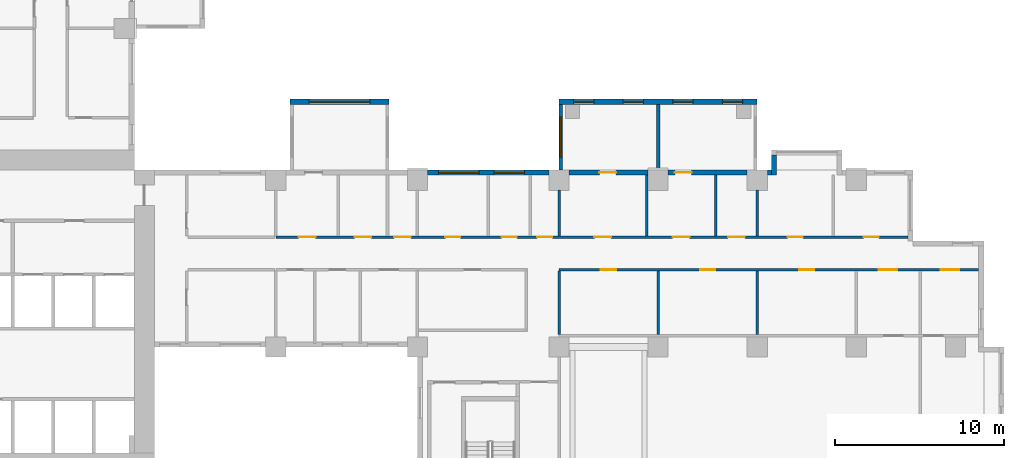
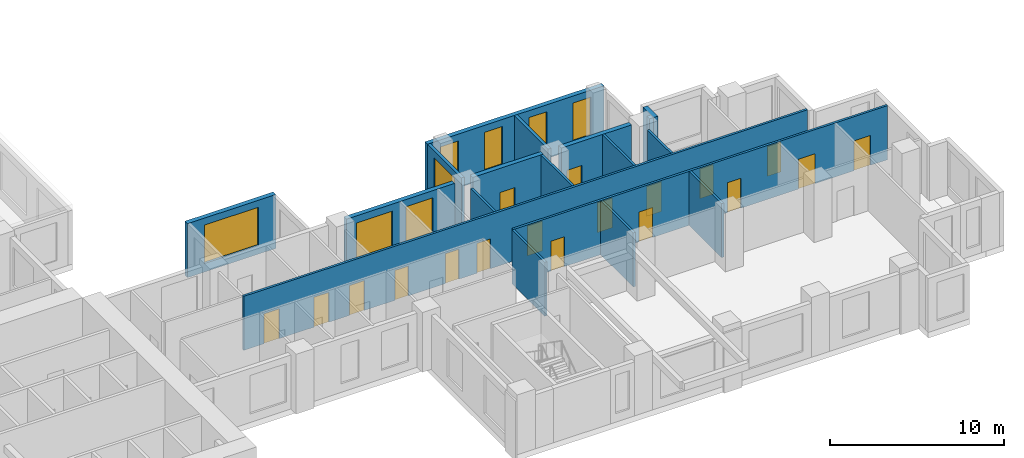
# One storey, part 5 of 14: 18 doors, 18 walls, 8 windows, 26 openings.
"""IFC4 building model written with IfcOpenShell, lengths in metres."""

from ifc_helpers import new_model, si_unit, direction, frame, frame_2d, origin, place, context, subcontext, project, spatial, rectangle, extrude, source, transform, mapped, material, layer, layer_set, type_object, element, fill, save


model = new_model("IFC4")

# Units and contexts
model_context = context("Model", 3, precision=1e-05, world=origin(), true_north=direction((0.0, 1.0)))
body_context = subcontext(model_context, "Body", "Model", "MODEL_VIEW")
ifc_project = project(units=[si_unit("LENGTHUNIT", "METRE"), si_unit("AREAUNIT", "SQUARE_METRE"), si_unit("VOLUMEUNIT", "CUBIC_METRE"), si_unit("PLANEANGLEUNIT", "RADIAN"), si_unit("MASSUNIT", "GRAM", prefix="KILO")], contexts=[model_context])

# Site, building, storey
site_placement = place(None, origin())
site = spatial("IfcSite", under=ifc_project, at=site_placement, CompositionType="ELEMENT")
building_placement = place(site_placement, origin())
building = spatial("IfcBuilding", under=site, at=building_placement, Name="Aurelian Terraces", CompositionType="ELEMENT")
storey_placement = place(building_placement, frame((0.0, 0.0, 53.1)))
storey = spatial("IfcBuildingStorey", under=building, at=storey_placement, Name="L10", CompositionType="ELEMENT", Elevation=53.1)

# Wall, openings, windows
ifc_material_1 = material(Name="Terracotta rainscreen cladding", Category="masonry")
ifc_layer_1 = layer(ifc_material_1, 0.3)
ifc_layer_set_1 = layer_set([ifc_layer_1], Name="EW-300")
wall_type_1 = type_object("IfcWallType", Name="EW-300", PredefinedType="STANDARD", material=ifc_layer_set_1)
shared_shape_1 = source(origin(), body_context, "Body", "SweptSolid", [
    extrude(rectangle(XDim=7.2, YDim=0.3, at=frame_2d((3.6, 0.0))), origin(), (0.0, 0.0, 1.0), 3.8),
])
wall_1_placement = place(storey_placement, frame((45.6, 20.85, 0.0), z_axis=(0.0, 0.0, 1.0), x_axis=(-1.0, 0.0, 0.0)))
wall_1 = element("IfcWall", 1, at=wall_1_placement, inside=storey, type_object=wall_type_1, Name="External wall L10 F11.24", PredefinedType="STANDARD", context=body_context, shape_type="MappedRepresentation", body=[
    mapped(shared_shape_1, transform((0.0, 0.0, 0.0), scale=1.0)),
])
shared_shape_2 = source(origin(), body_context, "Body", "SweptSolid", [
    extrude(rectangle(XDim=1.8, YDim=2.7, at=frame_2d((0.9, 1.35))), frame((0.0, 0.16, 0.0), z_axis=(0.0, -1.0, 0.0), x_axis=(1.0, 0.0, 0.0)), (0.0, 0.0, 1.0), 0.32),
])
opening_1_placement = place(wall_1_placement, frame((1.4495, 0.0, 0.6)))
opening_1 = element("IfcOpeningElement", 2, at=opening_1_placement, cuts=wall_1, Name="Opening W1827", PredefinedType="OPENING", context=body_context, shape_type="MappedRepresentation", body=[
    mapped(shared_shape_2, transform((0.0, 0.0, 0.0), scale=1.0)),
])
shared_shape_3 = source(origin(), body_context, "Body", "SweptSolid", [
    extrude(rectangle(XDim=2.4, YDim=2.7, at=frame_2d((1.2, 1.35))), frame((0.0, 0.16, 0.0), z_axis=(0.0, -1.0, 0.0), x_axis=(1.0, 0.0, 0.0)), (0.0, 0.0, 1.0), 0.32),
])
opening_2_placement = place(wall_1_placement, frame((4.1375, 0.0, 0.6)))
opening_2 = element("IfcOpeningElement", 3, at=opening_2_placement, cuts=wall_1, Name="Opening W2427", PredefinedType="OPENING", context=body_context, shape_type="MappedRepresentation", body=[
    mapped(shared_shape_3, transform((0.0, 0.0, 0.0), scale=1.0)),
])
ifc_material_2 = material(Name="Clear glazing", Category="glass")
window_type_1 = type_object("IfcWindowType", Name="W-2400x2700", PartitioningType="SINGLE_PANEL", PredefinedType="WINDOW", material=ifc_material_2)
shared_shape_4 = source(origin(), body_context, "Body", "SweptSolid", [
    extrude(rectangle(XDim=2.4, YDim=2.7, at=frame_2d((1.2, 1.35))), frame((0.0, 0.03, 0.0), z_axis=(0.0, -1.0, 0.0), x_axis=(1.0, 0.0, 0.0)), (0.0, 0.0, 1.0), 0.06),
])
window_1_placement = place(opening_2_placement, origin())
window_1 = element("IfcWindow", 4, at=window_1_placement, inside=storey, type_object=window_type_1, Name="Window L10 L10-F11-24-P0.2", OverallHeight=2.7, OverallWidth=2.4, PartitioningType="SINGLE_PANEL", PredefinedType="WINDOW", context=body_context, shape_type="MappedRepresentation", body=[
    mapped(shared_shape_4, transform((0.0, 0.0, 0.0), scale=1.0)),
])
fill(opening_2, window_1)
window_type_2 = type_object("IfcWindowType", Name="W-1800x2700", PartitioningType="SINGLE_PANEL", PredefinedType="WINDOW", material=ifc_material_2)
shared_shape_5 = source(origin(), body_context, "Body", "SweptSolid", [
    extrude(rectangle(XDim=1.8, YDim=2.7, at=frame_2d((0.9, 1.35))), frame((0.0, 0.03, 0.0), z_axis=(0.0, -1.0, 0.0), x_axis=(1.0, 0.0, 0.0)), (0.0, 0.0, 1.0), 0.06),
])
window_2_placement = place(opening_1_placement, origin())
window_2 = element("IfcWindow", 5, at=window_2_placement, inside=storey, type_object=window_type_2, Name="Window L10 L10-F11-24-P0.1", OverallHeight=2.7, OverallWidth=1.8, PartitioningType="SINGLE_PANEL", PredefinedType="WINDOW", context=body_context, shape_type="MappedRepresentation", body=[
    mapped(shared_shape_5, transform((0.0, 0.0, 0.0), scale=1.0)),
])
fill(opening_1, window_2)

# Wall, opening, door
shared_shape_6 = source(origin(), body_context, "Body", "SweptSolid", [
    extrude(rectangle(XDim=4.68, YDim=0.3, at=frame_2d((2.34, 0.0))), origin(), (0.0, 0.0, 1.0), 3.8),
])
wall_2_placement = place(storey_placement, frame((57.36, 20.85, 0.0), z_axis=(0.0, 0.0, 1.0), x_axis=(-1.0, 0.0, 0.0)))
wall_2 = element("IfcWall", 6, at=wall_2_placement, inside=storey, type_object=wall_type_1, Name="External wall L10 F11.23", PredefinedType="STANDARD", context=body_context, shape_type="MappedRepresentation", body=[
    mapped(shared_shape_6, transform((0.0, 0.0, 0.0), scale=1.0)),
])
shared_shape_7 = source(origin(), body_context, "Body", "SweptSolid", [
    extrude(rectangle(XDim=1.0, YDim=2.1, at=frame_2d((0.5, 1.05))), frame((0.0, 0.16, 0.0), z_axis=(0.0, -1.0, 0.0), x_axis=(1.0, 0.0, 0.0)), (0.0, 0.0, 1.0), 0.32),
])
opening_3_placement = place(wall_2_placement, frame((3.2867, 0.0, 0.0)))
opening_3 = element("IfcOpeningElement", 7, at=opening_3_placement, cuts=wall_2, Name="Opening 810003", PredefinedType="OPENING", context=body_context, shape_type="MappedRepresentation", body=[
    mapped(shared_shape_7, transform((0.0, 0.0, 0.0), scale=1.0)),
])
ifc_material_3 = material(Name="Timber door leaf", Category="wood")
door_type_1 = type_object("IfcDoorType", Name="Room door 1000x2100 left", OperationType="SINGLE_SWING_LEFT", PredefinedType="DOOR", material=ifc_material_3)
shared_shape_8 = source(origin(), body_context, "Body", "SweptSolid", [
    extrude(rectangle(XDim=1.0, YDim=2.1, at=frame_2d((0.5, 1.05))), frame((0.0, 0.025, 0.0), z_axis=(0.0, -1.0, 0.0), x_axis=(1.0, 0.0, 0.0)), (0.0, 0.0, 1.0), 0.05),
])
door_1_placement = place(opening_3_placement, origin())
door_1 = element("IfcDoor", 8, at=door_1_placement, inside=storey, type_object=door_type_1, Name="Door 810003", OperationType="SINGLE_SWING_LEFT", OverallHeight=2.1, OverallWidth=1.0, PredefinedType="DOOR", context=body_context, shape_type="MappedRepresentation", body=[
    mapped(shared_shape_8, transform((0.0, 0.0, 0.0), scale=1.0)),
])
fill(opening_3, door_1)

wall_3_placement = place(storey_placement, frame((51.48, 20.85, 0.0), z_axis=(0.0, 0.0, 1.0), x_axis=(-1.0, 0.0, 0.0)))
wall_3 = element("IfcWall", 9, at=wall_3_placement, inside=storey, type_object=wall_type_1, Name="External wall L10 F11.23", PredefinedType="STANDARD", context=body_context, shape_type="MappedRepresentation", body=[
    mapped(shared_shape_6, transform((0.0, 0.0, 0.0), scale=1.0)),
])
opening_4_placement = place(wall_3_placement, frame((1.8867, 0.0, 0.0)))
opening_4 = element("IfcOpeningElement", 10, at=opening_4_placement, cuts=wall_3, Name="Opening 810004", PredefinedType="OPENING", context=body_context, shape_type="MappedRepresentation", body=[
    mapped(shared_shape_7, transform((0.0, 0.0, 0.0), scale=1.0)),
])
door_2_placement = place(opening_4_placement, origin())
door_2 = element("IfcDoor", 11, at=door_2_placement, inside=storey, type_object=door_type_1, Name="Door 810004", OperationType="SINGLE_SWING_LEFT", OverallHeight=2.1, OverallWidth=1.0, PredefinedType="DOOR", context=body_context, shape_type="MappedRepresentation", body=[
    mapped(shared_shape_8, transform((0.0, 0.0, 0.0), scale=1.0)),
])
fill(opening_4, door_2)

# Walls
shared_shape_9 = source(origin(), body_context, "Body", "SweptSolid", [
    extrude(rectangle(XDim=1.2, YDim=0.3, at=frame_2d((0.6, 0.0))), origin(), (0.0, 0.0, 1.0), 3.8),
])
wall_4_placement = place(storey_placement, frame((58.95, 20.7, 0.0), z_axis=(0.0, 0.0, 1.0), x_axis=(0.0, 1.0, 0.0)))
element("IfcWall", 12, at=wall_4_placement, inside=storey, type_object=wall_type_1, Name="Bay return L10 F11.22.2", PredefinedType="STANDARD", context=body_context, shape_type="MappedRepresentation", body=[
    mapped(shared_shape_9, transform((0.0, 0.0, 0.0), scale=1.0)),
])
shared_shape_10 = source(origin(), body_context, "Body", "SweptSolid", [
    extrude(rectangle(XDim=0.24, YDim=0.3, at=frame_2d((0.12, 0.0))), origin(), (0.0, 0.0, 1.0), 3.8),
])
wall_5_placement = place(storey_placement, frame((58.8, 20.85, 0.0), z_axis=(0.0, 0.0, 1.0), x_axis=(-1.0, 0.0, 0.0)))
element("IfcWall", 13, at=wall_5_placement, inside=storey, type_object=wall_type_1, Name="External wall L10 F11.23", PredefinedType="STANDARD", context=body_context, shape_type="MappedRepresentation", body=[
    mapped(shared_shape_10, transform((0.0, 0.0, 0.0), scale=1.0)),
])

# Wall, opening, window
ifc_material_4 = material(Name="Concrete fc' 40 MPa", Category="concrete")
ifc_layer_2 = layer(ifc_material_4, 0.2)
ifc_layer_set_2 = layer_set([ifc_layer_2], Name="BOX BEARING WALL 200")
wall_type_2 = type_object("IfcWallType", Name="BOX BEARING WALL 200", PredefinedType="SOLIDWALL", material=ifc_layer_set_2)
shared_shape_11 = source(origin(), body_context, "Body", "SweptSolid", [
    extrude(rectangle(XDim=3.9, YDim=0.2, at=frame_2d((1.95, 0.0))), origin(), (0.0, 0.0, 1.0), 3.79),
])
wall_6_placement = place(storey_placement, frame((46.3, 21.0, 0.0), z_axis=(0.0, 0.0, 1.0), x_axis=(0.0, 1.0, 0.0)))
wall_6 = element("IfcWall", 14, at=wall_6_placement, inside=storey, type_object=wall_type_2, Name="Box return L10 K01.2", PredefinedType="SOLIDWALL", context=body_context, shape_type="MappedRepresentation", body=[
    mapped(shared_shape_11, transform((0.0, 0.0, 0.0), scale=1.0)),
])
shared_shape_12 = source(origin(), body_context, "Body", "SweptSolid", [
    extrude(rectangle(XDim=2.4, YDim=2.7, at=frame_2d((1.2, 1.35))), frame((0.0, 0.11, 0.0), z_axis=(0.0, -1.0, 0.0), x_axis=(1.0, 0.0, 0.0)), (0.0, 0.0, 1.0), 0.22),
])
opening_5_placement = place(wall_6_placement, frame((0.75, 0.0, 0.6)))
opening_5 = element("IfcOpeningElement", 15, at=opening_5_placement, cuts=wall_6, Name="Opening W2427", PredefinedType="OPENING", context=body_context, shape_type="MappedRepresentation", body=[
    mapped(shared_shape_12, transform((0.0, 0.0, 0.0), scale=1.0)),
])
window_3_placement = place(opening_5_placement, origin())
window_3 = element("IfcWindow", 16, at=window_3_placement, inside=storey, type_object=window_type_1, Name="Window L10 K01-S2", OverallHeight=2.7, OverallWidth=2.4, PartitioningType="SINGLE_PANEL", PredefinedType="WINDOW", context=body_context, shape_type="MappedRepresentation", body=[
    mapped(shared_shape_4, transform((0.0, 0.0, 0.0), scale=1.0)),
])
fill(opening_5, window_3)

ifc_layer_3 = layer(ifc_material_4, 0.3)
ifc_layer_set_3 = layer_set([ifc_layer_3], Name="BOX BEARING WALL 300")
wall_type_3 = type_object("IfcWallType", Name="BOX BEARING WALL 300", PredefinedType="SOLIDWALL", material=ifc_layer_set_3)
shared_shape_13 = source(origin(), body_context, "Body", "SweptSolid", [
    extrude(rectangle(XDim=5.88, YDim=0.3, at=frame_2d((2.94, 0.0))), origin(), (0.0, 0.0, 1.0), 3.79),
])
wall_7_placement = place(storey_placement, frame((36.12, 25.05, 0.0), z_axis=(0.0, 0.0, 1.0), x_axis=(-1.0, 0.0, 0.0)))
wall_7 = element("IfcWall", 17, at=wall_7_placement, inside=storey, type_object=wall_type_3, Name="Box wall L10 J06", PredefinedType="SOLIDWALL", context=body_context, shape_type="MappedRepresentation", body=[
    mapped(shared_shape_13, transform((0.0, 0.0, 0.0), scale=1.0)),
])
shared_shape_14 = source(origin(), body_context, "Body", "SweptSolid", [
    extrude(rectangle(XDim=3.6, YDim=2.7, at=frame_2d((1.8, 1.35))), frame((0.0, 0.16, 0.0), z_axis=(0.0, -1.0, 0.0), x_axis=(1.0, 0.0, 0.0)), (0.0, 0.0, 1.0), 0.32),
])
opening_6_placement = place(wall_7_placement, frame((1.14, 0.0, 0.6)))
opening_6 = element("IfcOpeningElement", 18, at=opening_6_placement, cuts=wall_7, Name="Opening W3627", PredefinedType="OPENING", context=body_context, shape_type="MappedRepresentation", body=[
    mapped(shared_shape_14, transform((0.0, 0.0, 0.0), scale=1.0)),
])
window_type_3 = type_object("IfcWindowType", Name="W-3600x2700", PartitioningType="SINGLE_PANEL", PredefinedType="WINDOW", material=ifc_material_2)
shared_shape_15 = source(origin(), body_context, "Body", "SweptSolid", [
    extrude(rectangle(XDim=3.6, YDim=2.7, at=frame_2d((1.8, 1.35))), frame((0.0, 0.03, 0.0), z_axis=(0.0, -1.0, 0.0), x_axis=(1.0, 0.0, 0.0)), (0.0, 0.0, 1.0), 0.06),
])
window_4_placement = place(opening_6_placement, origin())
window_4 = element("IfcWindow", 19, at=window_4_placement, inside=storey, type_object=window_type_3, Name="Window L10 J06-F1", OverallHeight=2.7, OverallWidth=3.6, PartitioningType="SINGLE_PANEL", PredefinedType="WINDOW", context=body_context, shape_type="MappedRepresentation", body=[
    mapped(shared_shape_15, transform((0.0, 0.0, 0.0), scale=1.0)),
])
fill(opening_6, window_4)

# Wall, openings, windows
shared_shape_16 = source(origin(), body_context, "Body", "SweptSolid", [
    extrude(rectangle(XDim=11.76, YDim=0.3, at=frame_2d((5.88, 0.0))), origin(), (0.0, 0.0, 1.0), 3.79),
])
wall_8_placement = place(storey_placement, frame((57.96, 25.05, 0.0), z_axis=(0.0, 0.0, 1.0), x_axis=(-1.0, 0.0, 0.0)))
wall_8 = element("IfcWall", 20, at=wall_8_placement, inside=storey, type_object=wall_type_3, Name="Box wall L10 K01", PredefinedType="SOLIDWALL", context=body_context, shape_type="MappedRepresentation", body=[
    mapped(shared_shape_16, transform((0.0, 0.0, 0.0), scale=1.0)),
])
shared_shape_17 = source(origin(), body_context, "Body", "SweptSolid", [
    extrude(rectangle(XDim=1.2, YDim=2.7, at=frame_2d((0.6, 1.35))), frame((0.0, 0.16, 0.0), z_axis=(0.0, -1.0, 0.0), x_axis=(1.0, 0.0, 0.0)), (0.0, 0.0, 1.0), 0.32),
])
opening_7_placement = place(wall_8_placement, frame((0.87, 0.0, 0.6)))
opening_7 = element("IfcOpeningElement", 21, at=opening_7_placement, cuts=wall_8, Name="Opening W1227", PredefinedType="OPENING", context=body_context, shape_type="MappedRepresentation", body=[
    mapped(shared_shape_17, transform((0.0, 0.0, 0.0), scale=1.0)),
])
opening_8_placement = place(wall_8_placement, frame((3.81, 0.0, 0.6)))
opening_8 = element("IfcOpeningElement", 22, at=opening_8_placement, cuts=wall_8, Name="Opening W1227", PredefinedType="OPENING", context=body_context, shape_type="MappedRepresentation", body=[
    mapped(shared_shape_17, transform((0.0, 0.0, 0.0), scale=1.0)),
])
opening_9_placement = place(wall_8_placement, frame((6.75, 0.0, 0.6)))
opening_9 = element("IfcOpeningElement", 23, at=opening_9_placement, cuts=wall_8, Name="Opening W1227", PredefinedType="OPENING", context=body_context, shape_type="MappedRepresentation", body=[
    mapped(shared_shape_17, transform((0.0, 0.0, 0.0), scale=1.0)),
])
opening_10_placement = place(wall_8_placement, frame((9.69, 0.0, 0.6)))
opening_10 = element("IfcOpeningElement", 24, at=opening_10_placement, cuts=wall_8, Name="Opening W1227", PredefinedType="OPENING", context=body_context, shape_type="MappedRepresentation", body=[
    mapped(shared_shape_17, transform((0.0, 0.0, 0.0), scale=1.0)),
])
window_type_4 = type_object("IfcWindowType", Name="W-1200x2700", PartitioningType="SINGLE_PANEL", PredefinedType="WINDOW", material=ifc_material_2)
shared_shape_18 = source(origin(), body_context, "Body", "SweptSolid", [
    extrude(rectangle(XDim=1.2, YDim=2.7, at=frame_2d((0.6, 1.35))), frame((0.0, 0.03, 0.0), z_axis=(0.0, -1.0, 0.0), x_axis=(1.0, 0.0, 0.0)), (0.0, 0.0, 1.0), 0.06),
])
window_5_placement = place(opening_7_placement, origin())
window_5 = element("IfcWindow", 25, at=window_5_placement, inside=storey, type_object=window_type_4, Name="Window L10 K01-F1", OverallHeight=2.7, OverallWidth=1.2, PartitioningType="SINGLE_PANEL", PredefinedType="WINDOW", context=body_context, shape_type="MappedRepresentation", body=[
    mapped(shared_shape_18, transform((0.0, 0.0, 0.0), scale=1.0)),
])
fill(opening_7, window_5)
window_6_placement = place(opening_8_placement, origin())
window_6 = element("IfcWindow", 26, at=window_6_placement, inside=storey, type_object=window_type_4, Name="Window L10 K01-F2", OverallHeight=2.7, OverallWidth=1.2, PartitioningType="SINGLE_PANEL", PredefinedType="WINDOW", context=body_context, shape_type="MappedRepresentation", body=[
    mapped(shared_shape_18, transform((0.0, 0.0, 0.0), scale=1.0)),
])
fill(opening_8, window_6)
window_7_placement = place(opening_9_placement, origin())
window_7 = element("IfcWindow", 27, at=window_7_placement, inside=storey, type_object=window_type_4, Name="Window L10 K01-F3", OverallHeight=2.7, OverallWidth=1.2, PartitioningType="SINGLE_PANEL", PredefinedType="WINDOW", context=body_context, shape_type="MappedRepresentation", body=[
    mapped(shared_shape_18, transform((0.0, 0.0, 0.0), scale=1.0)),
])
fill(opening_9, window_7)
window_8_placement = place(opening_10_placement, origin())
window_8 = element("IfcWindow", 28, at=window_8_placement, inside=storey, type_object=window_type_4, Name="Window L10 K01-F4", OverallHeight=2.7, OverallWidth=1.2, PartitioningType="SINGLE_PANEL", PredefinedType="WINDOW", context=body_context, shape_type="MappedRepresentation", body=[
    mapped(shared_shape_18, transform((0.0, 0.0, 0.0), scale=1.0)),
])
fill(opening_10, window_8)

# Walls
shared_shape_19 = source(origin(), body_context, "Body", "SweptSolid", [
    extrude(rectangle(XDim=3.9, YDim=0.2, at=frame_2d((1.95, 0.0))), origin(), (0.0, 0.0, 1.0), 3.79),
])
wall_9_placement = place(storey_placement, frame((52.08, 21.0, 0.0), z_axis=(0.0, 0.0, 1.0), x_axis=(0.0, 1.0, 0.0)))
element("IfcWall", 29, at=wall_9_placement, inside=storey, type_object=wall_type_2, Name="Box partition L10 K01", PredefinedType="SOLIDWALL", context=body_context, shape_type="MappedRepresentation", body=[
    mapped(shared_shape_19, transform((0.0, 0.0, 0.0), scale=1.0)),
])
ifc_material_5 = material(Name="Gypsum board on steel studs", Category="steel")
ifc_layer_4 = layer(ifc_material_5, 0.15)
ifc_layer_set_4 = layer_set([ifc_layer_4], Name="Partition 150")
wall_type_4 = type_object("IfcWallType", Name="Partition 150", PredefinedType="PARTITIONING", material=ifc_layer_set_4)
shared_shape_20 = source(origin(), body_context, "Body", "SweptSolid", [
    extrude(rectangle(XDim=3.75, YDim=0.15, at=frame_2d((1.875, 0.0))), origin(), (0.0, 0.0, 1.0), 3.8),
])
for number, where, z_axis, x_axis, name in (
    (30, (52.08, 11.25, 0.0), (0.0, 0.0, 1.0), (0.0, 1.0, 0.0), "Partition"),
    (31, (57.96, 11.25, 0.0), (0.0, 0.0, 1.0), (0.0, 1.0, 0.0), "Partition"),
    (32, (46.2, 11.25, 0.0), (0.0, 0.0, 1.0), (0.0, 1.0, 0.0), "Partition"),
):
    element("IfcWall", number, at=place(storey_placement, frame(where, z_axis=z_axis, x_axis=x_axis)), inside=storey, type_object=wall_type_4, Name=name, PredefinedType="PARTITIONING", context=body_context, shape_type="MappedRepresentation", body=[
        mapped(shared_shape_20, transform((0.0, 0.0, 0.0), scale=1.0)),
    ])
shared_shape_21 = source(origin(), body_context, "Body", "SweptSolid", [
    extrude(rectangle(XDim=3.6, YDim=0.15, at=frame_2d((1.8, 0.0))), origin(), (0.0, 0.0, 1.0), 3.8),
])
for number, where, z_axis, x_axis, name in (
    (33, (51.3951, 20.7, 0.0), (0.0, 0.0, 1.0), (0.0, -1.0, 0.0), "Partition"),
    (34, (55.4912, 20.7, 0.0), (0.0, 0.0, 1.0), (0.0, -1.0, 0.0), "Partition"),
):
    element("IfcWall", number, at=place(storey_placement, frame(where, z_axis=z_axis, x_axis=x_axis)), inside=storey, type_object=wall_type_4, Name=name, PredefinedType="PARTITIONING", context=body_context, shape_type="MappedRepresentation", body=[
        mapped(shared_shape_21, transform((0.0, 0.0, 0.0), scale=1.0)),
    ])
shared_shape_22 = source(origin(), body_context, "Body", "SweptSolid", [
    extrude(rectangle(XDim=2.701, YDim=0.15, at=frame_2d((1.3505, 0.0))), origin(), (0.0, 0.0, 1.0), 3.8),
])
for number, where, z_axis, x_axis, name in (
    (35, (46.2, 17.1, 0.0), (0.0, 0.0, 1.0), (0.0, 1.0, 0.0), "Partition"),
    (36, (57.96, 17.1, 0.0), (0.0, 0.0, 1.0), (0.0, 1.0, 0.0), "Partition"),
):
    element("IfcWall", number, at=place(storey_placement, frame(where, z_axis=z_axis, x_axis=x_axis)), inside=storey, type_object=wall_type_4, Name=name, PredefinedType="PARTITIONING", context=body_context, shape_type="MappedRepresentation", body=[
        mapped(shared_shape_22, transform((0.0, 0.0, 0.0), scale=1.0)),
    ])

# Wall, openings, doors
ifc_layer_5 = layer(ifc_material_5, 0.15)
ifc_layer_set_5 = layer_set([ifc_layer_5], Name="Fire partition 150")
wall_type_5 = type_object("IfcWallType", Name="Fire partition 150", PredefinedType="PARTITIONING", material=ifc_layer_set_5)
shared_shape_23 = source(origin(), body_context, "Body", "SweptSolid", [
    extrude(rectangle(XDim=24.9, YDim=0.15, at=frame_2d((12.45, 0.0))), origin(), (0.0, 0.0, 1.0), 3.8),
])
wall_10_placement = place(storey_placement, frame((71.1, 15.075, 0.0), z_axis=(0.0, 0.0, 1.0), x_axis=(-1.0, 0.0, 0.0)))
wall_10 = element("IfcWall", 37, at=wall_10_placement, inside=storey, type_object=wall_type_5, Name="Corridor wall", PredefinedType="PARTITIONING", context=body_context, shape_type="MappedRepresentation", body=[
    mapped(shared_shape_23, transform((0.0, 0.0, 0.0), scale=1.0)),
])
shared_shape_24 = source(origin(), body_context, "Body", "SweptSolid", [
    extrude(rectangle(XDim=1.1, YDim=2.1, at=frame_2d((0.55, 1.05))), frame((0.0, 0.085, 0.0), z_axis=(0.0, -1.0, 0.0), x_axis=(1.0, 0.0, 0.0)), (0.0, 0.0, 1.0), 0.17),
])
opening_11_placement = place(wall_10_placement, frame((4.82, 0.0, 0.0)))
opening_11 = element("IfcOpeningElement", 38, at=opening_11_placement, cuts=wall_10, Name="Opening 710008", PredefinedType="OPENING", context=body_context, shape_type="MappedRepresentation", body=[
    mapped(shared_shape_24, transform((0.0, 0.0, 0.0), scale=1.0)),
])
shared_shape_25 = source(origin(), body_context, "Body", "SweptSolid", [
    extrude(rectangle(XDim=0.9, YDim=2.1, at=frame_2d((0.45, 1.05))), frame((0.0, 0.085, 0.0), z_axis=(0.0, -1.0, 0.0), x_axis=(1.0, 0.0, 0.0)), (0.0, 0.0, 1.0), 0.17),
])
opening_12_placement = place(wall_10_placement, frame((21.51, 0.0, 0.0)))
opening_12 = element("IfcOpeningElement", 39, at=opening_12_placement, cuts=wall_10, Name="Opening 710010", PredefinedType="OPENING", context=body_context, shape_type="MappedRepresentation", body=[
    mapped(shared_shape_25, transform((0.0, 0.0, 0.0), scale=1.0)),
])
opening_13_placement = place(wall_10_placement, frame((15.63, 0.0, 0.0)))
opening_13 = element("IfcOpeningElement", 40, at=opening_13_placement, cuts=wall_10, Name="Opening 710011", PredefinedType="OPENING", context=body_context, shape_type="MappedRepresentation", body=[
    mapped(shared_shape_25, transform((0.0, 0.0, 0.0), scale=1.0)),
])
opening_14_placement = place(wall_10_placement, frame((9.75, 0.0, 0.0)))
opening_14 = element("IfcOpeningElement", 41, at=opening_14_placement, cuts=wall_10, Name="Opening 710012", PredefinedType="OPENING", context=body_context, shape_type="MappedRepresentation", body=[
    mapped(shared_shape_25, transform((0.0, 0.0, 0.0), scale=1.0)),
])
opening_15_placement = place(wall_10_placement, frame((1.1525, 0.0, 0.0)))
opening_15 = element("IfcOpeningElement", 42, at=opening_15_placement, cuts=wall_10, Name="Opening 710013", PredefinedType="OPENING", context=body_context, shape_type="MappedRepresentation", body=[
    mapped(shared_shape_24, transform((0.0, 0.0, 0.0), scale=1.0)),
])
door_type_2 = type_object("IfcDoorType", Name="Room door 900x2100 left", OperationType="SINGLE_SWING_LEFT", PredefinedType="DOOR", material=ifc_material_3)
shared_shape_26 = source(origin(), body_context, "Body", "SweptSolid", [
    extrude(rectangle(XDim=0.9, YDim=2.1, at=frame_2d((0.45, 1.05))), frame((0.0, 0.025, 0.0), z_axis=(0.0, -1.0, 0.0), x_axis=(1.0, 0.0, 0.0)), (0.0, 0.0, 1.0), 0.05),
])
door_3_placement = place(opening_12_placement, origin())
door_3 = element("IfcDoor", 43, at=door_3_placement, inside=storey, type_object=door_type_2, Name="Door 710010", OperationType="SINGLE_SWING_LEFT", OverallHeight=2.1, OverallWidth=0.9, PredefinedType="DOOR", context=body_context, shape_type="MappedRepresentation", body=[
    mapped(shared_shape_26, transform((0.0, 0.0, 0.0), scale=1.0)),
])
fill(opening_12, door_3)
door_type_3 = type_object("IfcDoorType", Name="Room door 900x2100 right", OperationType="SINGLE_SWING_RIGHT", PredefinedType="DOOR", material=ifc_material_3)
door_4_placement = place(opening_13_placement, origin())
door_4 = element("IfcDoor", 44, at=door_4_placement, inside=storey, type_object=door_type_3, Name="Door 710011", OperationType="SINGLE_SWING_RIGHT", OverallHeight=2.1, OverallWidth=0.9, PredefinedType="DOOR", context=body_context, shape_type="MappedRepresentation", body=[
    mapped(shared_shape_26, transform((0.0, 0.0, 0.0), scale=1.0)),
])
fill(opening_13, door_4)
door_5_placement = place(opening_14_placement, origin())
door_5 = element("IfcDoor", 45, at=door_5_placement, inside=storey, type_object=door_type_2, Name="Door 710012", OperationType="SINGLE_SWING_LEFT", OverallHeight=2.1, OverallWidth=0.9, PredefinedType="DOOR", context=body_context, shape_type="MappedRepresentation", body=[
    mapped(shared_shape_26, transform((0.0, 0.0, 0.0), scale=1.0)),
])
fill(opening_14, door_5)
door_type_4 = type_object("IfcDoorType", Name="Room door 1100x2100 left", OperationType="SINGLE_SWING_LEFT", PredefinedType="DOOR", material=ifc_material_3)
shared_shape_27 = source(origin(), body_context, "Body", "SweptSolid", [
    extrude(rectangle(XDim=1.1, YDim=2.1, at=frame_2d((0.55, 1.05))), frame((0.0, 0.025, 0.0), z_axis=(0.0, -1.0, 0.0), x_axis=(1.0, 0.0, 0.0)), (0.0, 0.0, 1.0), 0.05),
])
door_6_placement = place(opening_11_placement, origin())
door_6 = element("IfcDoor", 46, at=door_6_placement, inside=storey, type_object=door_type_4, Name="Door 710008", OperationType="SINGLE_SWING_LEFT", OverallHeight=2.1, OverallWidth=1.1, PredefinedType="DOOR", context=body_context, shape_type="MappedRepresentation", body=[
    mapped(shared_shape_27, transform((0.0, 0.0, 0.0), scale=1.0)),
])
fill(opening_11, door_6)
door_7_placement = place(opening_15_placement, origin())
door_7 = element("IfcDoor", 47, at=door_7_placement, inside=storey, type_object=door_type_4, Name="Door 710013", OperationType="SINGLE_SWING_LEFT", OverallHeight=2.1, OverallWidth=1.1, PredefinedType="DOOR", context=body_context, shape_type="MappedRepresentation", body=[
    mapped(shared_shape_27, transform((0.0, 0.0, 0.0), scale=1.0)),
])
fill(opening_15, door_7)

shared_shape_28 = source(origin(), body_context, "Body", "SweptSolid", [
    extrude(rectangle(XDim=37.5, YDim=0.15, at=frame_2d((18.75, 0.0))), origin(), (0.0, 0.0, 1.0), 3.8),
])
wall_11_placement = place(storey_placement, frame((29.4, 17.025, 0.0), z_axis=(0.0, 0.0, 1.0), x_axis=(1.0, 0.0, 0.0)))
wall_11 = element("IfcWall", 48, at=wall_11_placement, inside=storey, type_object=wall_type_5, Name="Corridor wall", PredefinedType="PARTITIONING", context=body_context, shape_type="MappedRepresentation", body=[
    mapped(shared_shape_28, transform((0.0, 0.0, 0.0), scale=1.0)),
])
shared_shape_29 = source(origin(), body_context, "Body", "SweptSolid", [
    extrude(rectangle(XDim=1.0, YDim=2.1, at=frame_2d((0.5, 1.05))), frame((0.0, 0.085, 0.0), z_axis=(0.0, -1.0, 0.0), x_axis=(1.0, 0.0, 0.0)), (0.0, 0.0, 1.0), 0.17),
])
opening_16_placement = place(wall_11_placement, frame((1.3567, 0.0, 0.0)))
opening_16 = element("IfcOpeningElement", 49, at=opening_16_placement, cuts=wall_11, Name="Opening 710015", PredefinedType="OPENING", context=body_context, shape_type="MappedRepresentation", body=[
    mapped(shared_shape_29, transform((0.0, 0.0, 0.0), scale=1.0)),
])
opening_17_placement = place(wall_11_placement, frame((4.6686, 0.0, 0.0)))
opening_17 = element("IfcOpeningElement", 50, at=opening_17_placement, cuts=wall_11, Name="Opening 710016", PredefinedType="OPENING", context=body_context, shape_type="MappedRepresentation", body=[
    mapped(shared_shape_29, transform((0.0, 0.0, 0.0), scale=1.0)),
])
opening_18_placement = place(wall_11_placement, frame((7.012, 0.0, 0.0)))
opening_18 = element("IfcOpeningElement", 51, at=opening_18_placement, cuts=wall_11, Name="Opening 710017", PredefinedType="OPENING", context=body_context, shape_type="MappedRepresentation", body=[
    mapped(shared_shape_29, transform((0.0, 0.0, 0.0), scale=1.0)),
])
opening_19_placement = place(wall_11_placement, frame((10.05, 0.0, 0.0)))
opening_19 = element("IfcOpeningElement", 52, at=opening_19_placement, cuts=wall_11, Name="Opening 710018", PredefinedType="OPENING", context=body_context, shape_type="MappedRepresentation", body=[
    mapped(shared_shape_25, transform((0.0, 0.0, 0.0), scale=1.0)),
])
opening_20_placement = place(wall_11_placement, frame((13.4006, 0.0, 0.0)))
opening_20 = element("IfcOpeningElement", 53, at=opening_20_placement, cuts=wall_11, Name="Opening 710019", PredefinedType="OPENING", context=body_context, shape_type="MappedRepresentation", body=[
    mapped(shared_shape_25, transform((0.0, 0.0, 0.0), scale=1.0)),
])
opening_21_placement = place(wall_11_placement, frame((15.5006, 0.0, 0.0)))
opening_21 = element("IfcOpeningElement", 54, at=opening_21_placement, cuts=wall_11, Name="Opening 710020", PredefinedType="OPENING", context=body_context, shape_type="MappedRepresentation", body=[
    mapped(shared_shape_25, transform((0.0, 0.0, 0.0), scale=1.0)),
])
opening_22_placement = place(wall_11_placement, frame((18.8976, 0.0, 0.0)))
opening_22 = element("IfcOpeningElement", 55, at=opening_22_placement, cuts=wall_11, Name="Opening 710021", PredefinedType="OPENING", context=body_context, shape_type="MappedRepresentation", body=[
    mapped(shared_shape_29, transform((0.0, 0.0, 0.0), scale=1.0)),
])
opening_23_placement = place(wall_11_placement, frame((23.5431, 0.0, 0.0)))
opening_23 = element("IfcOpeningElement", 56, at=opening_23_placement, cuts=wall_11, Name="Opening 710022", PredefinedType="OPENING", context=body_context, shape_type="MappedRepresentation", body=[
    mapped(shared_shape_29, transform((0.0, 0.0, 0.0), scale=1.0)),
])
opening_24_placement = place(wall_11_placement, frame((26.8256, 0.0, 0.0)))
opening_24 = element("IfcOpeningElement", 57, at=opening_24_placement, cuts=wall_11, Name="Opening 710023", PredefinedType="OPENING", context=body_context, shape_type="MappedRepresentation", body=[
    mapped(shared_shape_29, transform((0.0, 0.0, 0.0), scale=1.0)),
])
opening_25_placement = place(wall_11_placement, frame((30.3638, 0.0, 0.0)))
opening_25 = element("IfcOpeningElement", 58, at=opening_25_placement, cuts=wall_11, Name="Opening 710024", PredefinedType="OPENING", context=body_context, shape_type="MappedRepresentation", body=[
    mapped(shared_shape_25, transform((0.0, 0.0, 0.0), scale=1.0)),
])
opening_26_placement = place(wall_11_placement, frame((34.8713, 0.0, 0.0)))
opening_26 = element("IfcOpeningElement", 59, at=opening_26_placement, cuts=wall_11, Name="Opening 710025", PredefinedType="OPENING", context=body_context, shape_type="MappedRepresentation", body=[
    mapped(shared_shape_25, transform((0.0, 0.0, 0.0), scale=1.0)),
])
door_8_placement = place(opening_16_placement, origin())
door_8 = element("IfcDoor", 60, at=door_8_placement, inside=storey, type_object=door_type_1, Name="Door 710015", OperationType="SINGLE_SWING_LEFT", OverallHeight=2.1, OverallWidth=1.0, PredefinedType="DOOR", context=body_context, shape_type="MappedRepresentation", body=[
    mapped(shared_shape_8, transform((0.0, 0.0, 0.0), scale=1.0)),
])
fill(opening_16, door_8)
door_type_5 = type_object("IfcDoorType", Name="Room door 1000x2100 right", OperationType="SINGLE_SWING_RIGHT", PredefinedType="DOOR", material=ifc_material_3)
door_9_placement = place(opening_17_placement, origin())
door_9 = element("IfcDoor", 61, at=door_9_placement, inside=storey, type_object=door_type_5, Name="Door 710016", OperationType="SINGLE_SWING_RIGHT", OverallHeight=2.1, OverallWidth=1.0, PredefinedType="DOOR", context=body_context, shape_type="MappedRepresentation", body=[
    mapped(shared_shape_8, transform((0.0, 0.0, 0.0), scale=1.0)),
])
fill(opening_17, door_9)
door_10_placement = place(opening_18_placement, origin())
door_10 = element("IfcDoor", 62, at=door_10_placement, inside=storey, type_object=door_type_1, Name="Door 710017", OperationType="SINGLE_SWING_LEFT", OverallHeight=2.1, OverallWidth=1.0, PredefinedType="DOOR", context=body_context, shape_type="MappedRepresentation", body=[
    mapped(shared_shape_8, transform((0.0, 0.0, 0.0), scale=1.0)),
])
fill(opening_18, door_10)
door_11_placement = place(opening_22_placement, origin())
door_11 = element("IfcDoor", 63, at=door_11_placement, inside=storey, type_object=door_type_1, Name="Door 710021", OperationType="SINGLE_SWING_LEFT", OverallHeight=2.1, OverallWidth=1.0, PredefinedType="DOOR", context=body_context, shape_type="MappedRepresentation", body=[
    mapped(shared_shape_8, transform((0.0, 0.0, 0.0), scale=1.0)),
])
fill(opening_22, door_11)
door_12_placement = place(opening_23_placement, origin())
door_12 = element("IfcDoor", 64, at=door_12_placement, inside=storey, type_object=door_type_5, Name="Door 710022", OperationType="SINGLE_SWING_RIGHT", OverallHeight=2.1, OverallWidth=1.0, PredefinedType="DOOR", context=body_context, shape_type="MappedRepresentation", body=[
    mapped(shared_shape_8, transform((0.0, 0.0, 0.0), scale=1.0)),
])
fill(opening_23, door_12)
door_13_placement = place(opening_24_placement, origin())
door_13 = element("IfcDoor", 65, at=door_13_placement, inside=storey, type_object=door_type_1, Name="Door 710023", OperationType="SINGLE_SWING_LEFT", OverallHeight=2.1, OverallWidth=1.0, PredefinedType="DOOR", context=body_context, shape_type="MappedRepresentation", body=[
    mapped(shared_shape_8, transform((0.0, 0.0, 0.0), scale=1.0)),
])
fill(opening_24, door_13)
door_14_placement = place(opening_19_placement, origin())
door_14 = element("IfcDoor", 66, at=door_14_placement, inside=storey, type_object=door_type_2, Name="Door 710018", OperationType="SINGLE_SWING_LEFT", OverallHeight=2.1, OverallWidth=0.9, PredefinedType="DOOR", context=body_context, shape_type="MappedRepresentation", body=[
    mapped(shared_shape_26, transform((0.0, 0.0, 0.0), scale=1.0)),
])
fill(opening_19, door_14)
door_15_placement = place(opening_20_placement, origin())
door_15 = element("IfcDoor", 67, at=door_15_placement, inside=storey, type_object=door_type_2, Name="Door 710019", OperationType="SINGLE_SWING_LEFT", OverallHeight=2.1, OverallWidth=0.9, PredefinedType="DOOR", context=body_context, shape_type="MappedRepresentation", body=[
    mapped(shared_shape_26, transform((0.0, 0.0, 0.0), scale=1.0)),
])
fill(opening_20, door_15)
door_16_placement = place(opening_21_placement, origin())
door_16 = element("IfcDoor", 68, at=door_16_placement, inside=storey, type_object=door_type_3, Name="Door 710020", OperationType="SINGLE_SWING_RIGHT", OverallHeight=2.1, OverallWidth=0.9, PredefinedType="DOOR", context=body_context, shape_type="MappedRepresentation", body=[
    mapped(shared_shape_26, transform((0.0, 0.0, 0.0), scale=1.0)),
])
fill(opening_21, door_16)
door_17_placement = place(opening_25_placement, origin())
door_17 = element("IfcDoor", 69, at=door_17_placement, inside=storey, type_object=door_type_2, Name="Door 710024", OperationType="SINGLE_SWING_LEFT", OverallHeight=2.1, OverallWidth=0.9, PredefinedType="DOOR", context=body_context, shape_type="MappedRepresentation", body=[
    mapped(shared_shape_26, transform((0.0, 0.0, 0.0), scale=1.0)),
])
fill(opening_25, door_17)
door_18_placement = place(opening_26_placement, origin())
door_18 = element("IfcDoor", 70, at=door_18_placement, inside=storey, type_object=door_type_3, Name="Door 710025", OperationType="SINGLE_SWING_RIGHT", OverallHeight=2.1, OverallWidth=0.9, PredefinedType="DOOR", context=body_context, shape_type="MappedRepresentation", body=[
    mapped(shared_shape_26, transform((0.0, 0.0, 0.0), scale=1.0)),
])
fill(opening_26, door_18)

save(model, "model.ifc")
